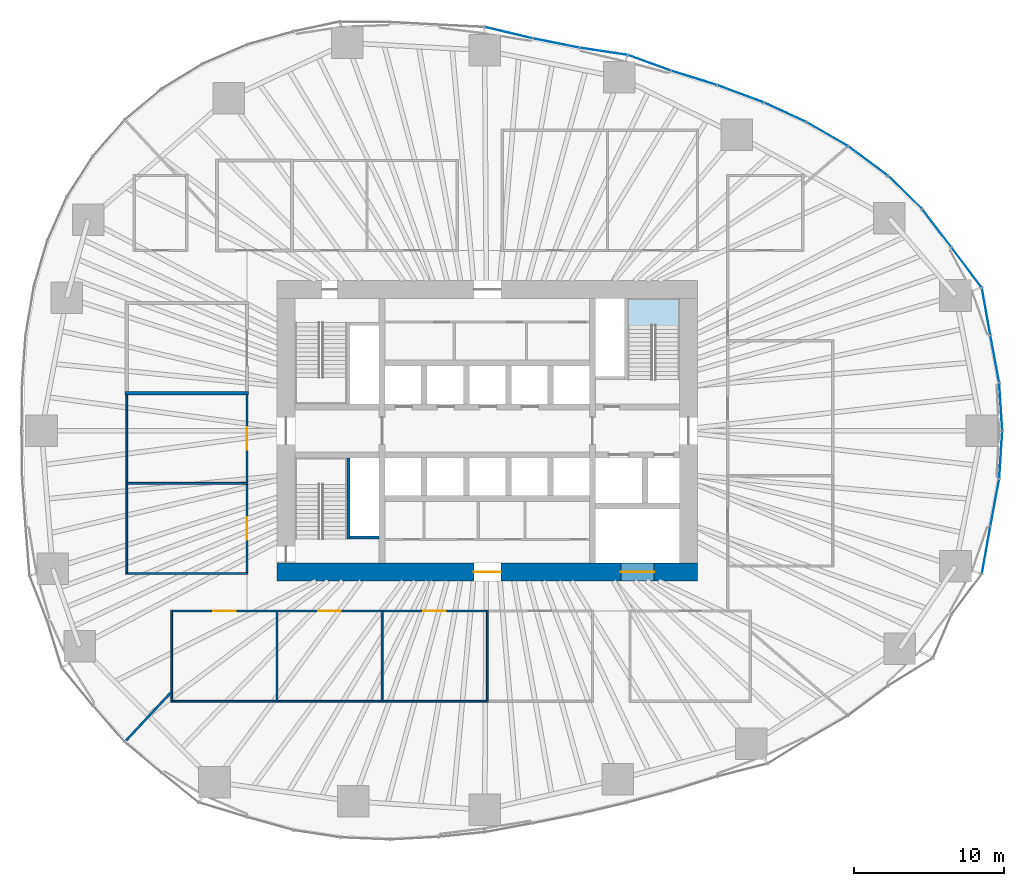
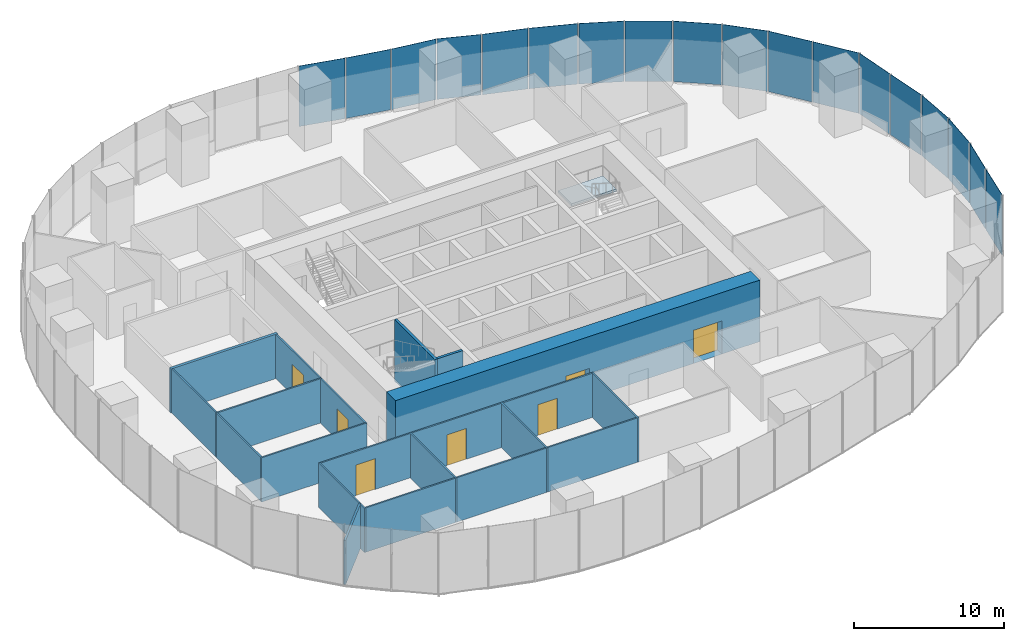
# One storey, part 9 of 20: 21 walls, 18 plates, 7 doors, 1 slab, 7 openings, 7 elements without a shape of their own.
"""IFC4 building model written with IfcOpenShell, lengths in metres."""

from ifc_helpers import new_model, si_unit, direction, frame, frame_2d, origin, origin_2d, place, context, subcontext, project, spatial, polyline, rectangle, outline, extrude, material, layer, layer_set, type_object, element, fill, aggregate, save


model = new_model("IFC4")

# Units and contexts
model_context = context("Model", 3, precision=1e-05, world=origin(), true_north=direction((0.0, 1.0)))
body_context = subcontext(model_context, "Body", "Model", "MODEL_VIEW")
ifc_project = project(units=[si_unit("LENGTHUNIT", "METRE"), si_unit("AREAUNIT", "SQUARE_METRE"), si_unit("VOLUMEUNIT", "CUBIC_METRE"), si_unit("PLANEANGLEUNIT", "RADIAN"), si_unit("MASSUNIT", "GRAM", prefix="KILO")], contexts=[model_context])

# Site, building, storey
site_placement = place(None, origin())
site = spatial("IfcSite", under=ifc_project, at=site_placement, CompositionType="ELEMENT")
building_placement = place(site_placement, origin())
building = spatial("IfcBuilding", under=site, at=building_placement, Name="Ghaith Harvest Tower", CompositionType="ELEMENT")
storey_placement = place(building_placement, frame((0.0, 0.0, 40.0)))
storey = spatial("IfcBuildingStorey", under=building, at=storey_placement, Name="L08", CompositionType="ELEMENT", Elevation=40.0)

# Curtain wall, plates
ifc_material_1 = material(Name="Black anodised aluminium and fritted glass", Category="aluminium")
curtain_wall_type = type_object("IfcCurtainWallType", Name="CW-F CURTAIN WALL", PredefinedType="NOTDEFINED", material=ifc_material_1)
curtain_wall_1_placement = place(storey_placement, origin())
curtain_wall_1 = element("IfcCurtainWall", 1, at=curtain_wall_1_placement, inside=storey, type_object=curtain_wall_type, Name="Curtain wall CW-F bay 01 L08", PredefinedType="NOTDEFINED")
ifc_material_2 = material(Name="Glass, high-transmission fritted double glazed unit", Category="glass")
ifc_layer_1 = layer(ifc_material_2, 0.028076171875)
ifc_layer_set_1 = layer_set([ifc_layer_1], Name="CW-F VISION PANEL")
plate_type = type_object("IfcPlateType", Name="CW-F VISION PANEL", PredefinedType="CURTAIN_PANEL", material=ifc_layer_set_1)
plate_1_placement = place(storey_placement, frame((34.181396484375, 1.602783203125, 0.080078125), z_axis=(0.0, 0.0, 1.0), x_axis=(-0.064445645786, 0.997921218704, 0.0)))
plate_1 = element("IfcPlate", 2, at=plate_1_placement, type_object=plate_type, Name="CW-F panel 1 bay 01 L08", PredefinedType="CURTAIN_PANEL", context=body_context, shape_type="SweptSolid", body=[
    extrude(rectangle(XDim=3.132080078125, YDim=0.028076171875, at=origin_2d()), origin(), (0.0, 0.0, 1.0), 4.919921875),
])
plate_2_placement = place(storey_placement, frame((33.78369140625, 4.78076171875, 0.080078125), z_axis=(0.0, 0.0, 1.0), x_axis=(-0.183569249502, 0.983006780565, 0.0)))
plate_2 = element("IfcPlate", 3, at=plate_2_placement, type_object=plate_type, Name="CW-F panel 2 bay 01 L08", PredefinedType="CURTAIN_PANEL", context=body_context, shape_type="SweptSolid", body=[
    extrude(rectangle(XDim=3.12548828125, YDim=0.028076171875, at=origin_2d()), origin(), (0.0, 0.0, 1.0), 4.919921875),
])
plate_3_placement = place(storey_placement, frame((33.20654296875, 7.93603515625, 0.080078125), z_axis=(0.0, 0.0, 1.0), x_axis=(-0.176319663586, 0.984332960046, 0.0)))
plate_3 = element("IfcPlate", 4, at=plate_3_placement, type_object=plate_type, Name="CW-F panel 3 bay 01 L08", PredefinedType="CURTAIN_PANEL", context=body_context, shape_type="SweptSolid", body=[
    extrude(rectangle(XDim=3.129638671875, YDim=0.028076171875, at=origin_2d()), origin(), (0.0, 0.0, 1.0), 4.919921875),
])
aggregate(curtain_wall_1, [plate_1, plate_2, plate_3])

curtain_wall_2_placement = place(storey_placement, origin())
curtain_wall_2 = element("IfcCurtainWall", 5, at=curtain_wall_2_placement, inside=storey, type_object=curtain_wall_type, Name="Curtain wall CW-F bay 02 L08", PredefinedType="NOTDEFINED")
plate_4_placement = place(storey_placement, frame((31.91015625, 10.865234375, 0.080078125), z_axis=(0.0, 0.0, 1.0), x_axis=(-0.600454091192, 0.799659230154, 0.0)))
plate_4 = element("IfcPlate", 6, at=plate_4_placement, type_object=plate_type, Name="CW-F panel 1 bay 02 L08", PredefinedType="CURTAIN_PANEL", context=body_context, shape_type="SweptSolid", body=[
    extrude(rectangle(XDim=3.295654296875, YDim=0.028076171875, at=origin_2d()), origin(), (0.0, 0.0, 1.0), 4.919921875),
])
plate_5_placement = place(storey_placement, frame((29.921875, 13.4892578125, 0.080078125), z_axis=(0.0, 0.0, 1.0), x_axis=(-0.607611877494, 0.794234100457, 0.0)))
plate_5 = element("IfcPlate", 7, at=plate_5_placement, type_object=plate_type, Name="CW-F panel 2 bay 02 L08", PredefinedType="CURTAIN_PANEL", context=body_context, shape_type="SweptSolid", body=[
    extrude(rectangle(XDim=3.128662109375, YDim=0.028076171875, at=origin_2d()), origin(), (0.0, 0.0, 1.0), 4.919921875),
])
plate_6_placement = place(storey_placement, frame((27.810546875, 15.869384765625, 0.080078125), z_axis=(0.0, 0.0, 1.0), x_axis=(-0.716691335472, 0.69739051446, 0.0)))
plate_6 = element("IfcPlate", 8, at=plate_6_placement, type_object=plate_type, Name="CW-F panel 3 bay 02 L08", PredefinedType="CURTAIN_PANEL", context=body_context, shape_type="SweptSolid", body=[
    extrude(rectangle(XDim=3.092041015625, YDim=0.028076171875, at=origin_2d()), origin(), (0.0, 0.0, 1.0), 4.919921875),
])
aggregate(curtain_wall_2, [plate_4, plate_5, plate_6])

curtain_wall_3_placement = place(storey_placement, origin())
curtain_wall_3 = element("IfcCurtainWall", 9, at=curtain_wall_3_placement, inside=storey, type_object=curtain_wall_type, Name="Curtain wall CW-F bay 03 L08", PredefinedType="NOTDEFINED")
plate_7_placement = place(storey_placement, frame((25.34619140625, 17.96142578125, 0.080078125), z_axis=(0.0, 0.0, 1.0), x_axis=(-0.802866788578, 0.596158468697, 0.0)))
plate_7 = element("IfcPlate", 10, at=plate_7_placement, type_object=plate_type, Name="CW-F panel 1 bay 03 L08", PredefinedType="CURTAIN_PANEL", context=body_context, shape_type="SweptSolid", body=[
    extrude(rectangle(XDim=3.2275390625, YDim=0.028076171875, at=origin_2d()), origin(), (0.0, 0.0, 1.0), 4.919921875),
])
plate_8_placement = place(storey_placement, frame((22.626953125, 19.750244140625, 0.080078125), z_axis=(0.0, 0.0, 1.0), x_axis=(-0.866159208358, 0.499768172033, 0.0)))
plate_8 = element("IfcPlate", 11, at=plate_8_placement, type_object=plate_type, Name="CW-F panel 2 bay 03 L08", PredefinedType="CURTAIN_PANEL", context=body_context, shape_type="SweptSolid", body=[
    extrude(rectangle(XDim=3.1328125, YDim=0.028076171875, at=origin_2d()), origin(), (0.0, 0.0, 1.0), 4.919921875),
])
plate_9_placement = place(storey_placement, frame((19.8291015625, 21.19970703125, 0.080078125), z_axis=(0.0, 0.0, 1.0), x_axis=(-0.908529586897, 0.417820523351, 0.0)))
plate_9 = element("IfcPlate", 12, at=plate_9_placement, type_object=plate_type, Name="CW-F panel 3 bay 03 L08", PredefinedType="CURTAIN_PANEL", context=body_context, shape_type="SweptSolid", body=[
    extrude(rectangle(XDim=3.01611328125, YDim=0.028076171875, at=origin_2d()), origin(), (0.0, 0.0, 1.0), 4.919921875),
])
aggregate(curtain_wall_3, [plate_7, plate_8, plate_9])

curtain_wall_4_placement = place(storey_placement, origin())
curtain_wall_4 = element("IfcCurtainWall", 13, at=curtain_wall_4_placement, inside=storey, type_object=curtain_wall_type, Name="Curtain wall CW-F bay 04 L08", PredefinedType="NOTDEFINED")
plate_10_placement = place(storey_placement, frame((16.85498046875, 22.431396484375, 0.080078125), z_axis=(0.0, 0.0, 1.0), x_axis=(-0.936926487964, 0.349526474178, 0.0)))
plate_10 = element("IfcPlate", 14, at=plate_10_placement, type_object=plate_type, Name="CW-F panel 1 bay 04 L08", PredefinedType="CURTAIN_PANEL", context=body_context, shape_type="SweptSolid", body=[
    extrude(rectangle(XDim=3.26611328125, YDim=0.028076171875, at=origin_2d()), origin(), (0.0, 0.0, 1.0), 4.919921875),
])
plate_11_placement = place(storey_placement, frame((13.760986328125, 23.490234375, 0.080078125), z_axis=(0.0, 0.0, 1.0), x_axis=(-0.954988265421, 0.296643578911, 0.0)))
plate_11 = element("IfcPlate", 15, at=plate_11_placement, type_object=plate_type, Name="CW-F panel 2 bay 04 L08", PredefinedType="CURTAIN_PANEL", context=body_context, shape_type="SweptSolid", body=[
    extrude(rectangle(XDim=3.1171875, YDim=0.028076171875, at=origin_2d()), origin(), (0.0, 0.0, 1.0), 4.919921875),
])
plate_12_placement = place(storey_placement, frame((10.793212890625, 24.490234375, 0.080078125), z_axis=(0.0, 0.0, 1.0), x_axis=(-0.939438435482, 0.342717705902, 0.0)))
plate_12 = element("IfcPlate", 16, at=plate_12_placement, type_object=plate_type, Name="CW-F panel 3 bay 04 L08", PredefinedType="CURTAIN_PANEL", context=body_context, shape_type="SweptSolid", body=[
    extrude(rectangle(XDim=2.98828125, YDim=0.028076171875, at=origin_2d()), origin(), (0.0, 0.0, 1.0), 4.919921875),
])
aggregate(curtain_wall_4, [plate_10, plate_11, plate_12])

curtain_wall_5_placement = place(storey_placement, origin())
curtain_wall_5 = element("IfcCurtainWall", 17, at=curtain_wall_5_placement, inside=storey, type_object=curtain_wall_type, Name="Curtain wall CW-F bay 05 L08", PredefinedType="NOTDEFINED")
plate_13_placement = place(storey_placement, frame((7.744384765625, 25.255615234375, 0.080078125), z_axis=(0.0, 0.0, 1.0), x_axis=(-0.989074249382, 0.147418211935, 0.0)))
plate_13 = element("IfcPlate", 18, at=plate_13_placement, type_object=plate_type, Name="CW-F panel 1 bay 05 L08", PredefinedType="CURTAIN_PANEL", context=body_context, shape_type="SweptSolid", body=[
    extrude(rectangle(XDim=3.17041015625, YDim=0.028076171875, at=origin_2d()), origin(), (0.0, 0.0, 1.0), 4.919921875),
])
plate_14_placement = place(storey_placement, frame((4.5732421875, 25.809326171875, 0.080078125), z_axis=(0.0, 0.0, 1.0), x_axis=(-0.980432348069, 0.196856320344, 0.0)))
plate_14 = element("IfcPlate", 19, at=plate_14_placement, type_object=plate_type, Name="CW-F panel 2 bay 05 L08", PredefinedType="CURTAIN_PANEL", context=body_context, shape_type="SweptSolid", body=[
    extrude(rectangle(XDim=3.1103515625, YDim=0.028076171875, at=origin_2d()), origin(), (0.0, 0.0, 1.0), 4.919921875),
])
plate_15_placement = place(storey_placement, frame((1.41259765625, 26.500244140625, 0.080078125), z_axis=(0.0, 0.0, 1.0), x_axis=(-0.97324595378, 0.229765779545, 0.0)))
plate_15 = element("IfcPlate", 20, at=plate_15_placement, type_object=plate_type, Name="CW-F panel 3 bay 05 L08", PredefinedType="CURTAIN_PANEL", context=body_context, shape_type="SweptSolid", body=[
    extrude(rectangle(XDim=3.200927734375, YDim=0.028076171875, at=origin_2d()), origin(), (0.0, 0.0, 1.0), 4.919921875),
])
aggregate(curtain_wall_5, [plate_13, plate_14, plate_15])

curtain_wall_6_placement = place(storey_placement, origin())
curtain_wall_6 = element("IfcCurtainWall", 21, at=curtain_wall_6_placement, inside=storey, type_object=curtain_wall_type, Name="Curtain wall CW-F bay 20 L08", PredefinedType="NOTDEFINED")
plate_16_placement = place(storey_placement, frame((33.20654296875, -7.93603515625, 0.080078125), z_axis=(0.0, 0.0, 1.0), x_axis=(0.176319663878, 0.984332959994, 0.0)))
plate_16 = element("IfcPlate", 22, at=plate_16_placement, type_object=plate_type, Name="CW-F panel 1 bay 20 L08", PredefinedType="CURTAIN_PANEL", context=body_context, shape_type="SweptSolid", body=[
    extrude(rectangle(XDim=3.129638671875, YDim=0.028076171875, at=origin_2d()), origin(), (0.0, 0.0, 1.0), 4.919921875),
])
plate_17_placement = place(storey_placement, frame((33.78369140625, -4.78076171875, 0.080078125), z_axis=(0.0, 0.0, 1.0), x_axis=(0.183569249777, 0.983006780514, 0.0)))
plate_17 = element("IfcPlate", 23, at=plate_17_placement, type_object=plate_type, Name="CW-F panel 2 bay 20 L08", PredefinedType="CURTAIN_PANEL", context=body_context, shape_type="SweptSolid", body=[
    extrude(rectangle(XDim=3.12548828125, YDim=0.028076171875, at=origin_2d()), origin(), (0.0, 0.0, 1.0), 4.919921875),
])
plate_18_placement = place(storey_placement, frame((34.181396484375, -1.602783203125, 0.080078125), z_axis=(0.0, 0.0, 1.0), x_axis=(0.064445645891, 0.997921218697, 0.0)))
plate_18 = element("IfcPlate", 24, at=plate_18_placement, type_object=plate_type, Name="CW-F panel 3 bay 20 L08", PredefinedType="CURTAIN_PANEL", context=body_context, shape_type="SweptSolid", body=[
    extrude(rectangle(XDim=3.132080078125, YDim=0.028076171875, at=origin_2d()), origin(), (0.0, 0.0, 1.0), 4.919921875),
])
aggregate(curtain_wall_6, [plate_16, plate_17, plate_18])

# Stair, slab
ifc_material_3 = material(Name="Concrete C40/50, precast", Category="concrete")
stair_type = type_object("IfcStairType", Name="CORE STAIR 28R", PredefinedType="HALF_TURN_STAIR", material=ifc_material_3)
stair_placement = place(storey_placement, origin())
stair = element("IfcStair", 25, at=stair_placement, inside=storey, type_object=stair_type, Name="Stair ST2 L08", PredefinedType="HALF_TURN_STAIR")
ifc_material_4 = material(Name="Concrete C40/50, precast", Category="concrete")
ifc_layer_2 = layer(ifc_material_4, 0.179931640625)
ifc_layer_set_2 = layer_set([ifc_layer_2], Name="STAIR LANDING 180")
slab_type = type_object("IfcSlabType", Name="STAIR LANDING 180", PredefinedType="LANDING", material=ifc_layer_set_2)
slab_placement = place(storey_placement, frame((0.0, 0.0, 2.320068359375)))
slab = element("IfcSlab", 26, at=slab_placement, type_object=slab_type, Name="ST2 landing 1", PredefinedType="LANDING", context=body_context, shape_type="SweptSolid", body=[
    extrude(outline(polyline([(12.800048828125, 7.02001953125), (12.800048828125, 8.800048828125), (9.35009765625, 8.800048828125), (9.35009765625, 7.02001953125), (12.800048828125, 7.02001953125)])), origin(), (0.0, 0.0, 1.0), 0.179931640625),
])
aggregate(stair, [slab])

# Wall
ifc_material_5 = material(Name="Concrete blockwork, 1-hour", Category="masonry")
ifc_layer_3 = layer(ifc_material_5, 0.215087890625)
ifc_layer_set_3 = layer_set([ifc_layer_3], Name="BLOCKWORK WALL 215")
wall_type_1 = type_object("IfcWallType", Name="BLOCKWORK WALL 215", PredefinedType="PARTITIONING", material=ifc_layer_set_3)
wall_1_placement = place(storey_placement, frame((-15.892578125, 2.5, 0.0), z_axis=(0.0, 0.0, 1.0), x_axis=(-1.0, 0.0, 0.0)))
element("IfcWall", 27, at=wall_1_placement, inside=storey, type_object=wall_type_1, Name="Partition L08 row W3 cross wall 3", PredefinedType="PARTITIONING", context=body_context, shape_type="SweptSolid", body=[
    extrude(rectangle(XDim=8.21484375, YDim=0.215087890625, at=frame_2d((4.107421875, 0.0))), origin(), (0.0, 0.0, 1.0), 3.60009765625),
])

# Wall, openings, doors
ifc_material_6 = material(Name="Concrete C70/85", Category="concrete")
ifc_layer_4 = layer(ifc_material_6, 1.199951171875)
ifc_layer_set_4 = layer_set([ifc_layer_4], Name="CORE WALL CW1200")
wall_type_2 = type_object("IfcWallType", Name="CORE WALL CW1200", PredefinedType="SHEAR", material=ifc_layer_set_4)
wall_2_placement = place(storey_placement, frame((-14.0, -9.39990234375, 0.0), z_axis=(0.0, 0.0, 1.0), x_axis=(1.0, 0.0, 0.0)))
wall_2 = element("IfcWall", 28, at=wall_2_placement, inside=storey, type_object=wall_type_2, Name="Core wall S L08", PredefinedType="SHEAR", context=body_context, shape_type="SweptSolid", body=[
    extrude(rectangle(XDim=28.0, YDim=1.199951171875, at=frame_2d((14.0, 0.0))), origin(), (0.0, 0.0, 1.0), 5.0),
])
opening_1_placement = place(wall_2_placement, frame((13.10009765625, 0.0, 0.0)))
opening_1 = element("IfcOpeningElement", 29, at=opening_1_placement, cuts=wall_2, Name="Opening 08-016", PredefinedType="OPENING", context=body_context, shape_type="SweptSolid", body=[
    extrude(rectangle(XDim=1.800048828125, YDim=2.39990234375, at=frame_2d((0.89990234375, 1.199951171875))), frame((0.0, 0.60986328125, 0.0), z_axis=(0.0, -1.0, 0.0), x_axis=(1.0, 0.0, 0.0)), (0.0, 0.0, 1.0), 1.219970703125),
])
opening_2_placement = place(wall_2_placement, frame((22.89990234375, 0.0, 0.0)))
opening_2 = element("IfcOpeningElement", 30, at=opening_2_placement, cuts=wall_2, Name="Opening 08-023", PredefinedType="OPENING", context=body_context, shape_type="SweptSolid", body=[
    extrude(rectangle(XDim=2.199951171875, YDim=2.699951171875, at=frame_2d((1.10009765625, 1.35009765625))), frame((0.0, 0.60986328125, 0.0), z_axis=(0.0, -1.0, 0.0), x_axis=(1.0, 0.0, 0.0)), (0.0, 0.0, 1.0), 1.219970703125),
])
ifc_material_7 = material(Name="Steel fire door", Category="steel")
door_type_1 = type_object("IfcDoorType", Name="D4 FD90 PAIR 1800x2400", OperationType="DOUBLE_DOOR_SINGLE_SWING", PredefinedType="DOOR", material=ifc_material_7)
door_1_placement = place(opening_1_placement, origin())
door_1 = element("IfcDoor", 31, at=door_1_placement, inside=storey, type_object=door_type_1, Name="Core service corridor doors", OperationType="DOUBLE_DOOR_SINGLE_SWING", OverallHeight=2.39990234375, OverallWidth=1.800048828125, PredefinedType="DOOR", context=body_context, shape_type="SweptSolid", body=[
    extrude(rectangle(XDim=1.800048828125, YDim=2.39990234375, at=frame_2d((0.89990234375, 1.199951171875))), frame((0.0, 0.02490234375, 0.0), z_axis=(0.0, -1.0, 0.0), x_axis=(1.0, 0.0, 0.0)), (0.0, 0.0, 1.0), 0.050048828125),
])
fill(opening_1, door_1)
ifc_material_8 = material(Name="Steel fire door", Category="steel")
door_type_2 = type_object("IfcDoorType", Name="LD3 LANDING 2200x2700", OperationType="DOUBLE_DOOR_SLIDING", PredefinedType="DOOR", material=ifc_material_8)
door_2_placement = place(opening_2_placement, origin())
door_2 = element("IfcDoor", 32, at=door_2_placement, inside=storey, type_object=door_type_2, Name="Landing door, goods lift GL1", OperationType="DOUBLE_DOOR_SLIDING", OverallHeight=2.699951171875, OverallWidth=2.199951171875, PredefinedType="DOOR", context=body_context, shape_type="SweptSolid", body=[
    extrude(rectangle(XDim=2.199951171875, YDim=2.699951171875, at=frame_2d((1.10009765625, 1.35009765625))), frame((0.0, 0.02490234375, 0.0), z_axis=(0.0, -1.0, 0.0), x_axis=(1.0, 0.0, 0.0)), (0.0, 0.0, 1.0), 0.050048828125),
])
fill(opening_2, door_2)

# Walls
ifc_material_9 = material(Name="Insulated food-grade panel", Category="steel")
ifc_layer_5 = layer(ifc_material_9, 0.1201171875)
ifc_layer_set_5 = layer_set([ifc_layer_5], Name="INSULATED PANEL WALL 120")
wall_type_3 = type_object("IfcWallType", Name="INSULATED PANEL WALL 120", PredefinedType="PARTITIONING", material=ifc_layer_set_5)
for number, where, z_axis, x_axis, name in (
    (33, (-21.0, -11.93994140625, 0.0), (0.0, 0.0, 1.0), (0.0, -1.0, 0.0), "Partition L08 row S1 cross wall 1"),
    (34, (-14.0, -11.93994140625, 0.0), (0.0, 0.0, 1.0), (0.0, -1.0, 0.0), "Partition L08 row S1 cross wall 2"),
    (35, (-7.0, -11.93994140625, 0.0), (0.0, 0.0, 1.0), (0.0, -1.0, 0.0), "Partition L08 row S1 cross wall 3"),
    (36, (0.0, -11.93994140625, 0.0), (0.0, 0.0, 1.0), (0.0, -1.0, 0.0), "Partition L08 row S1 cross wall 4"),
):
    element("IfcWall", number, at=place(storey_placement, frame(where, z_axis=z_axis, x_axis=x_axis)), inside=storey, type_object=wall_type_3, Name=name, PredefinedType="PARTITIONING", context=body_context, shape_type="SweptSolid", body=[
        extrude(rectangle(XDim=6.1201171875, YDim=0.1201171875, at=frame_2d((3.06005859375, 0.0))), origin(), (0.0, 0.0, 1.0), 3.60009765625),
    ])

# Wall, opening, door
wall_3_placement = place(storey_placement, frame((-20.93994140625, -12.0, 0.0), z_axis=(0.0, 0.0, 1.0), x_axis=(1.0, 0.0, 0.0)))
wall_3 = element("IfcWall", 37, at=wall_3_placement, inside=storey, type_object=wall_type_3, Name="Partition L08-01", PredefinedType="PARTITIONING", context=body_context, shape_type="SweptSolid", body=[
    extrude(rectangle(XDim=6.8798828125, YDim=0.1201171875, at=frame_2d((3.43994140625, 0.0))), origin(), (0.0, 0.0, 1.0), 3.60009765625),
])
opening_3_placement = place(wall_3_placement, frame((2.68994140625, 0.0, 0.0)))
opening_3 = element("IfcOpeningElement", 38, at=opening_3_placement, cuts=wall_3, Name="Opening 08-024", PredefinedType="OPENING", context=body_context, shape_type="SweptSolid", body=[
    extrude(rectangle(XDim=1.5, YDim=2.5, at=frame_2d((0.75, 1.25))), frame((0.0, 0.070068359375, 0.0), z_axis=(0.0, -1.0, 0.0), x_axis=(1.0, 0.0, 0.0)), (0.0, 0.0, 1.0), 0.14013671875),
])
ifc_material_10 = material(Name="Insulated steel sliding door", Category="steel")
door_type_3 = type_object("IfcDoorType", Name="D13 COLD STORE SLIDING 1500x2500", OperationType="SLIDING_TO_LEFT", PredefinedType="DOOR", material=ifc_material_10)
door_3_placement = place(opening_3_placement, origin())
door_3 = element("IfcDoor", 39, at=door_3_placement, inside=storey, type_object=door_type_3, Name="Racked growing room door", OperationType="SLIDING_TO_LEFT", OverallHeight=2.5, OverallWidth=1.5, PredefinedType="DOOR", context=body_context, shape_type="SweptSolid", body=[
    extrude(rectangle(XDim=1.5, YDim=2.5, at=frame_2d((0.75, 1.25))), frame((0.0, 0.02490234375, 0.0), z_axis=(0.0, -1.0, 0.0), x_axis=(1.0, 0.0, 0.0)), (0.0, 0.0, 1.0), 0.050048828125),
])
fill(opening_3, door_3)

# Wall
wall_4_placement = place(storey_placement, frame((-20.93994140625, -18.0, 0.0), z_axis=(0.0, 0.0, 1.0), x_axis=(1.0, 0.0, 0.0)))
element("IfcWall", 40, at=wall_4_placement, inside=storey, type_object=wall_type_3, Name="Partition L08-01", PredefinedType="PARTITIONING", context=body_context, shape_type="SweptSolid", body=[
    extrude(rectangle(XDim=6.8798828125, YDim=0.1201171875, at=frame_2d((3.43994140625, 0.0))), origin(), (0.0, 0.0, 1.0), 3.60009765625),
])

# Wall, opening, door
wall_5_placement = place(storey_placement, frame((-13.93994140625, -12.0, 0.0), z_axis=(0.0, 0.0, 1.0), x_axis=(1.0, 0.0, 0.0)))
wall_5 = element("IfcWall", 41, at=wall_5_placement, inside=storey, type_object=wall_type_3, Name="Partition L08-02", PredefinedType="PARTITIONING", context=body_context, shape_type="SweptSolid", body=[
    extrude(rectangle(XDim=6.8798828125, YDim=0.1201171875, at=frame_2d((3.43994140625, 0.0))), origin(), (0.0, 0.0, 1.0), 3.60009765625),
])
opening_4_placement = place(wall_5_placement, frame((2.68994140625, 0.0, 0.0)))
opening_4 = element("IfcOpeningElement", 42, at=opening_4_placement, cuts=wall_5, Name="Opening 08-025", PredefinedType="OPENING", context=body_context, shape_type="SweptSolid", body=[
    extrude(rectangle(XDim=1.5, YDim=2.5, at=frame_2d((0.75, 1.25))), frame((0.0, 0.070068359375, 0.0), z_axis=(0.0, -1.0, 0.0), x_axis=(1.0, 0.0, 0.0)), (0.0, 0.0, 1.0), 0.14013671875),
])
door_4_placement = place(opening_4_placement, origin())
door_4 = element("IfcDoor", 43, at=door_4_placement, inside=storey, type_object=door_type_3, Name="Racked growing room door", OperationType="SLIDING_TO_LEFT", OverallHeight=2.5, OverallWidth=1.5, PredefinedType="DOOR", context=body_context, shape_type="SweptSolid", body=[
    extrude(rectangle(XDim=1.5, YDim=2.5, at=frame_2d((0.75, 1.25))), frame((0.0, 0.02490234375, 0.0), z_axis=(0.0, -1.0, 0.0), x_axis=(1.0, 0.0, 0.0)), (0.0, 0.0, 1.0), 0.050048828125),
])
fill(opening_4, door_4)

# Wall
wall_6_placement = place(storey_placement, frame((-13.93994140625, -18.0, 0.0), z_axis=(0.0, 0.0, 1.0), x_axis=(1.0, 0.0, 0.0)))
element("IfcWall", 44, at=wall_6_placement, inside=storey, type_object=wall_type_3, Name="Partition L08-02", PredefinedType="PARTITIONING", context=body_context, shape_type="SweptSolid", body=[
    extrude(rectangle(XDim=6.8798828125, YDim=0.1201171875, at=frame_2d((3.43994140625, 0.0))), origin(), (0.0, 0.0, 1.0), 3.60009765625),
])

# Wall, opening, door
wall_7_placement = place(storey_placement, frame((-6.93994140625, -12.0, 0.0), z_axis=(0.0, 0.0, 1.0), x_axis=(1.0, 0.0, 0.0)))
wall_7 = element("IfcWall", 45, at=wall_7_placement, inside=storey, type_object=wall_type_3, Name="Partition L08-03", PredefinedType="PARTITIONING", context=body_context, shape_type="SweptSolid", body=[
    extrude(rectangle(XDim=6.8798828125, YDim=0.1201171875, at=frame_2d((3.43994140625, 0.0))), origin(), (0.0, 0.0, 1.0), 3.60009765625),
])
opening_5_placement = place(wall_7_placement, frame((2.68994140625, 0.0, 0.0)))
opening_5 = element("IfcOpeningElement", 46, at=opening_5_placement, cuts=wall_7, Name="Opening 08-026", PredefinedType="OPENING", context=body_context, shape_type="SweptSolid", body=[
    extrude(rectangle(XDim=1.5, YDim=2.5, at=frame_2d((0.75, 1.25))), frame((0.0, 0.070068359375, 0.0), z_axis=(0.0, -1.0, 0.0), x_axis=(1.0, 0.0, 0.0)), (0.0, 0.0, 1.0), 0.14013671875),
])
door_5_placement = place(opening_5_placement, origin())
door_5 = element("IfcDoor", 47, at=door_5_placement, inside=storey, type_object=door_type_3, Name="Racked growing room door", OperationType="SLIDING_TO_LEFT", OverallHeight=2.5, OverallWidth=1.5, PredefinedType="DOOR", context=body_context, shape_type="SweptSolid", body=[
    extrude(rectangle(XDim=1.5, YDim=2.5, at=frame_2d((0.75, 1.25))), frame((0.0, 0.02490234375, 0.0), z_axis=(0.0, -1.0, 0.0), x_axis=(1.0, 0.0, 0.0)), (0.0, 0.0, 1.0), 0.050048828125),
])
fill(opening_5, door_5)

# Walls
wall_8_placement = place(storey_placement, frame((-6.93994140625, -18.0, 0.0), z_axis=(0.0, 0.0, 1.0), x_axis=(1.0, 0.0, 0.0)))
element("IfcWall", 48, at=wall_8_placement, inside=storey, type_object=wall_type_3, Name="Partition L08-03", PredefinedType="PARTITIONING", context=body_context, shape_type="SweptSolid", body=[
    extrude(rectangle(XDim=6.8798828125, YDim=0.1201171875, at=frame_2d((3.43994140625, 0.0))), origin(), (0.0, 0.0, 1.0), 3.60009765625),
])
for number, where, z_axis, x_axis, name in (
    (49, (-15.93994140625, -9.5, 0.0), (0.0, 0.0, 1.0), (-1.0, 0.0, 0.0), "Partition L08 row W3 cross wall 1"),
    (50, (-15.93994140625, -3.5, 0.0), (0.0, 0.0, 1.0), (-1.0, 0.0, 0.0), "Partition L08 row W3 cross wall 2"),
):
    element("IfcWall", number, at=place(storey_placement, frame(where, z_axis=z_axis, x_axis=x_axis)), inside=storey, type_object=wall_type_3, Name=name, PredefinedType="PARTITIONING", context=body_context, shape_type="SweptSolid", body=[
        extrude(rectangle(XDim=8.1201171875, YDim=0.1201171875, at=frame_2d((4.06005859375, 0.0))), origin(), (0.0, 0.0, 1.0), 3.60009765625),
    ])

# Wall, opening, door
wall_9_placement = place(storey_placement, frame((-16.0, -9.43994140625, 0.0), z_axis=(0.0, 0.0, 1.0), x_axis=(0.0, 1.0, 0.0)))
wall_9 = element("IfcWall", 51, at=wall_9_placement, inside=storey, type_object=wall_type_3, Name="Partition L08-06", PredefinedType="PARTITIONING", context=body_context, shape_type="SweptSolid", body=[
    extrude(rectangle(XDim=5.8798828125, YDim=0.1201171875, at=frame_2d((2.93994140625, 0.0))), origin(), (0.0, 0.0, 1.0), 3.60009765625),
])
opening_6_placement = place(wall_9_placement, frame((2.18994140625, 0.0, 0.0)))
opening_6 = element("IfcOpeningElement", 52, at=opening_6_placement, cuts=wall_9, Name="Opening 08-029", PredefinedType="OPENING", context=body_context, shape_type="SweptSolid", body=[
    extrude(rectangle(XDim=1.5, YDim=2.5, at=frame_2d((0.75, 1.25))), frame((0.0, 0.070068359375, 0.0), z_axis=(0.0, -1.0, 0.0), x_axis=(1.0, 0.0, 0.0)), (0.0, 0.0, 1.0), 0.14013671875),
])
door_6_placement = place(opening_6_placement, origin())
door_6 = element("IfcDoor", 53, at=door_6_placement, inside=storey, type_object=door_type_3, Name="Racked growing room door", OperationType="SLIDING_TO_LEFT", OverallHeight=2.5, OverallWidth=1.5, PredefinedType="DOOR", context=body_context, shape_type="SweptSolid", body=[
    extrude(rectangle(XDim=1.5, YDim=2.5, at=frame_2d((0.75, 1.25))), frame((0.0, 0.02490234375, 0.0), z_axis=(0.0, -1.0, 0.0), x_axis=(1.0, 0.0, 0.0)), (0.0, 0.0, 1.0), 0.050048828125),
])
fill(opening_6, door_6)

# Wall
wall_10_placement = place(storey_placement, frame((-24.0, -9.43994140625, 0.0), z_axis=(0.0, 0.0, 1.0), x_axis=(0.0, 1.0, 0.0)))
element("IfcWall", 54, at=wall_10_placement, inside=storey, type_object=wall_type_3, Name="Partition L08-06", PredefinedType="PARTITIONING", context=body_context, shape_type="SweptSolid", body=[
    extrude(rectangle(XDim=5.8798828125, YDim=0.1201171875, at=frame_2d((2.93994140625, 0.0))), origin(), (0.0, 0.0, 1.0), 3.60009765625),
])

# Wall, opening, door
wall_11_placement = place(storey_placement, frame((-16.0, -3.43994140625, 0.0), z_axis=(0.0, 0.0, 1.0), x_axis=(0.0, 1.0, 0.0)))
wall_11 = element("IfcWall", 55, at=wall_11_placement, inside=storey, type_object=wall_type_3, Name="Partition L08-07", PredefinedType="PARTITIONING", context=body_context, shape_type="SweptSolid", body=[
    extrude(rectangle(XDim=5.83251953125, YDim=0.1201171875, at=frame_2d((2.916259765625, 0.0))), origin(), (0.0, 0.0, 1.0), 3.60009765625),
])
opening_7_placement = place(wall_11_placement, frame((2.166259765625, 0.0, 0.0)))
opening_7 = element("IfcOpeningElement", 56, at=opening_7_placement, cuts=wall_11, Name="Opening 08-030", PredefinedType="OPENING", context=body_context, shape_type="SweptSolid", body=[
    extrude(rectangle(XDim=1.5, YDim=2.5, at=frame_2d((0.75, 1.25))), frame((0.0, 0.070068359375, 0.0), z_axis=(0.0, -1.0, 0.0), x_axis=(1.0, 0.0, 0.0)), (0.0, 0.0, 1.0), 0.14013671875),
])
door_7_placement = place(opening_7_placement, origin())
door_7 = element("IfcDoor", 57, at=door_7_placement, inside=storey, type_object=door_type_3, Name="Racked growing room door", OperationType="SLIDING_TO_LEFT", OverallHeight=2.5, OverallWidth=1.5, PredefinedType="DOOR", context=body_context, shape_type="SweptSolid", body=[
    extrude(rectangle(XDim=1.5, YDim=2.5, at=frame_2d((0.75, 1.25))), frame((0.0, 0.02490234375, 0.0), z_axis=(0.0, -1.0, 0.0), x_axis=(1.0, 0.0, 0.0)), (0.0, 0.0, 1.0), 0.050048828125),
])
fill(opening_7, door_7)

# Walls
wall_12_placement = place(storey_placement, frame((-24.0, -3.43994140625, 0.0), z_axis=(0.0, 0.0, 1.0), x_axis=(0.0, 1.0, 0.0)))
element("IfcWall", 58, at=wall_12_placement, inside=storey, type_object=wall_type_3, Name="Partition L08-07", PredefinedType="PARTITIONING", context=body_context, shape_type="SweptSolid", body=[
    extrude(rectangle(XDim=5.83251953125, YDim=0.1201171875, at=frame_2d((2.916259765625, 0.0))), origin(), (0.0, 0.0, 1.0), 3.60009765625),
])
ifc_material_11 = material(Name="Gypsum board on steel studs", Category="steel")
ifc_layer_6 = layer(ifc_material_11, 0.14990234375)
ifc_layer_set_6 = layer_set([ifc_layer_6], Name="PARTITION 150")
wall_type_4 = type_object("IfcWallType", Name="PARTITION 150", PredefinedType="PARTITIONING", material=ifc_layer_set_6)
wall_13_placement = place(storey_placement, frame((-21.02001953125, -17.37548828125, 0.0), z_axis=(0.0, 0.0, 1.0), x_axis=(-0.682511222631, -0.730875113123, 0.0)))
element("IfcWall", 59, at=wall_13_placement, inside=storey, type_object=wall_type_4, Name="Partition L08 zone division", PredefinedType="PARTITIONING", context=body_context, shape_type="SweptSolid", body=[
    extrude(rectangle(XDim=4.4169921875, YDim=0.14990234375, at=frame_2d((2.20849609375, 0.0))), origin(), (0.0, 0.0, 1.0), 3.60009765625),
])
ifc_material_12 = material(Name="Concrete C40/50", Category="concrete")
ifc_layer_7 = layer(ifc_material_12, 0.199951171875)
ifc_layer_set_7 = layer_set([ifc_layer_7], Name="STAIR SPINE WALL RC200")
wall_type_5 = type_object("IfcWallType", Name="STAIR SPINE WALL RC200", PredefinedType="SOLIDWALL", material=ifc_layer_set_7)
wall_14_placement = place(storey_placement, frame((-9.25, -7.199951171875, 0.0), z_axis=(0.0, 0.0, 1.0), x_axis=(0.0, 1.0, 0.0)))
element("IfcWall", 60, at=wall_14_placement, inside=storey, type_object=wall_type_5, Name="Stair ST3 spine wall L08", PredefinedType="SOLIDWALL", context=body_context, shape_type="SweptSolid", body=[
    extrude(rectangle(XDim=5.39990234375, YDim=0.199951171875, at=frame_2d((2.699951171875, 0.0))), origin(), (0.0, 0.0, 1.0), 5.0),
])
wall_15_placement = place(storey_placement, frame((-9.14990234375, -7.10009765625, 0.0), z_axis=(0.0, 0.0, 1.0), x_axis=(1.0, 0.0, 0.0)))
element("IfcWall", 61, at=wall_15_placement, inside=storey, type_object=wall_type_5, Name="Stair ST3 spine wall return L08", PredefinedType="SOLIDWALL", context=body_context, shape_type="SweptSolid", body=[
    extrude(rectangle(XDim=1.949951171875, YDim=0.199951171875, at=frame_2d((0.97509765625, 0.0))), origin(), (0.0, 0.0, 1.0), 5.0),
])

save(model, "model.ifc")
